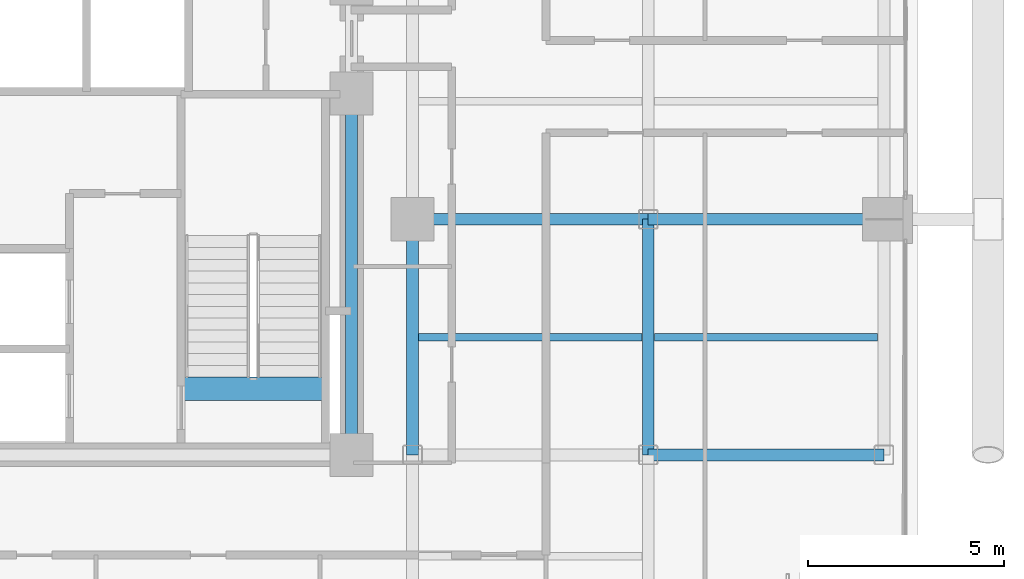
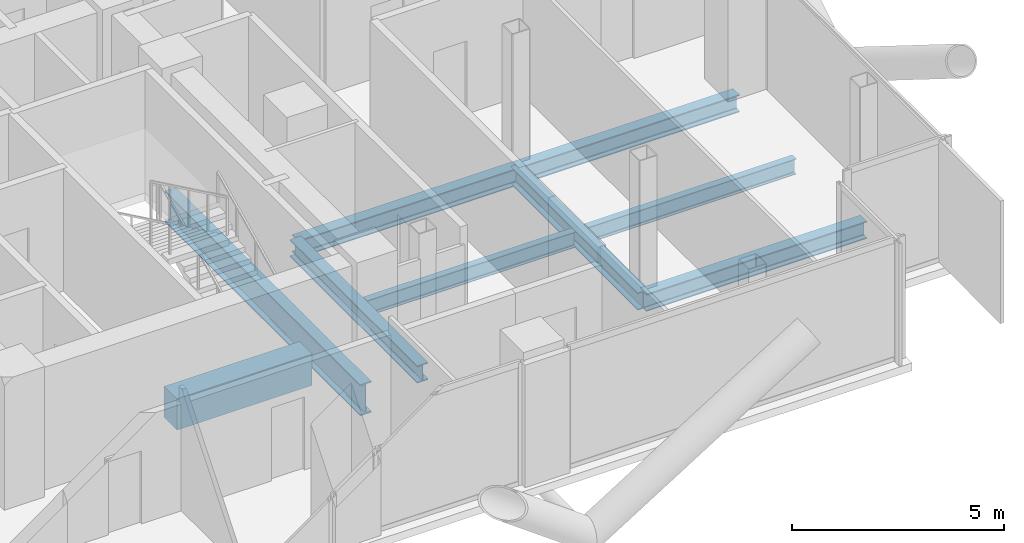
# One storey, part 10 of 24: 9 beams.
"""IFC4 building model written with IfcOpenShell, lengths in metres."""

from ifc_helpers import new_model, si_unit, direction, frame, origin, origin_2d, place, context, subcontext, project, spatial, rectangle, i_section, extrude, material, material_profile, profile_set, type_object, element, save


model = new_model("IFC4")

# Units and contexts
model_context = context("Model", 3, precision=1e-05, world=origin(), true_north=direction((0.0, 1.0)))
body_context = subcontext(model_context, "Body", "Model", "MODEL_VIEW")
ifc_project = project(units=[si_unit("LENGTHUNIT", "METRE"), si_unit("AREAUNIT", "SQUARE_METRE"), si_unit("VOLUMEUNIT", "CUBIC_METRE"), si_unit("PLANEANGLEUNIT", "RADIAN"), si_unit("MASSUNIT", "GRAM", prefix="KILO"), si_unit("THERMODYNAMICTEMPERATUREUNIT", "KELVIN"), si_unit("POWERUNIT", "WATT")], contexts=[model_context])

# Site, building, storey
site_placement = place(None, origin())
site = spatial("IfcSite", under=ifc_project, at=site_placement, CompositionType="ELEMENT")
building_placement = place(site_placement, origin())
building = spatial("IfcBuilding", under=site, at=building_placement, Name="Svarakhadi Broadcast Tower", CompositionType="ELEMENT")
storey_placement = place(building_placement, frame((0.0, 0.0, 145.64990234375)))
storey = spatial("IfcBuildingStorey", under=building, at=storey_placement, Name="L35", CompositionType="ELEMENT", Elevation=145.64990234375)

# Beams
ifc_material_1 = material(Name="Steel S355J2 (IS 2062 E350C)", Category="steel")
ifc_material_profile_1 = material_profile(ifc_material_1, i_section(OverallWidth=0.18994140625, OverallDepth=0.449951171875, WebThickness=0.009521484375, FlangeThickness=0.0146484375, FilletRadius=0.02099609375, at=origin_2d()), Name="NPB 450x190x78")
ifc_profile_set_1 = profile_set([ifc_material_profile_1], Name="Steel S355J2 (IS 2062 E350C)")
beam_type_1 = type_object("IfcBeamType", Name="Beam_NPB450", PredefinedType="BEAM", material=ifc_profile_set_1)
for number, where, z_axis, x_axis, name in (
    (1, (35.31005859375, 9.0, -0.449951171875), (1.0, 0.0, 0.0), (0.0, 1.0, 0.0), "L35 Secondary Composite Beam SB020"),
    (2, (41.31005859375, 9.0, -0.449951171875), (1.0, 0.0, 0.0), (0.0, 1.0, 0.0), "L35 Secondary Composite Beam SB022"),
):
    element("IfcBeam", number, at=place(storey_placement, frame(where, z_axis=z_axis, x_axis=x_axis)), inside=storey, type_object=beam_type_1, Name=name, PredefinedType="BEAM", context=body_context, shape_type="SweptSolid", body=[
        extrude(i_section(OverallWidth=0.18994140625, OverallDepth=0.449951171875, WebThickness=0.009521484375, FlangeThickness=0.0146484375, FilletRadius=0.02099609375, at=origin_2d()), origin(), (0.0, 0.0, 1.0), 5.679931640625),
    ])
ifc_material_2 = material(Name="Concrete C50/60 (IS 456 M60)", Category="concrete")
ifc_material_profile_2 = material_profile(ifc_material_2, rectangle(XDim=0.60009765625, YDim=0.89990234375, at=origin_2d()), Name="RC 600x900")
ifc_profile_set_2 = profile_set([ifc_material_profile_2], Name="Concrete C50/60 (IS 456 M60)")
beam_type_2 = type_object("IfcBeamType", Name="Coupling_RC600", PredefinedType="USERDEFINED", material=ifc_profile_set_2)
beam_1_placement = place(storey_placement, frame((29.260009765625, 7.679931640625, -0.449951171875), z_axis=(1.0, 0.0, 0.0), x_axis=(0.0, 1.0, 0.0)))
element("IfcBeam", 3, at=beam_1_placement, inside=storey, type_object=beam_type_2, Name="L35 Stair ST-02 Landing Throat Trimmer Beam CB-01", ObjectType="GIRDER", PredefinedType="USERDEFINED", context=body_context, shape_type="SweptSolid", body=[
    extrude(rectangle(XDim=0.60009765625, YDim=0.89990234375, at=origin_2d()), origin(), (0.0, 0.0, 1.0), 3.679931640625),
])
ifc_material_profile_3 = material_profile(ifc_material_1, i_section(OverallWidth=0.300048828125, OverallDepth=0.5, WebThickness=0.014404296875, FlangeThickness=0.028076171875, FilletRadius=0.027099609375, at=origin_2d()), Name="WPB 500x300x187")
ifc_profile_set_3 = profile_set([ifc_material_profile_3], Name="Steel S355J2 (IS 2062 E350C)")
beam_type_3 = type_object("IfcBeamType", Name="Girder_WPB500", PredefinedType="USERDEFINED", material=ifc_profile_set_3)
for number, where, z_axis, x_axis, name in (
    (4, (41.14990234375, 6.0, -0.474853515625), (1.0, 0.0, 0.0), (0.0, 1.0, 0.0), "L35 Primary E-W Girder G016"),
    (5, (35.14990234375, 12.0, -0.474853515625), (1.0, 0.0, 0.0), (0.0, 1.0, 0.0), "L35 Primary E-W Girder G021"),
    (6, (41.14990234375, 12.0, -0.474853515625), (1.0, 0.0, 0.0), (0.0, 1.0, 0.0), "L35 Primary E-W Girder G022"),
    (7, (35.14990234375, 6.0, -0.474853515625), (0.0, 1.0, 0.0), (-1.0, 0.0, 0.0), "L35 Primary N-S Girder G068"),
    (8, (41.14990234375, 6.0, -0.474853515625), (0.0, 1.0, 0.0), (-1.0, 0.0, 0.0), "L35 Primary N-S Girder G071"),
):
    element("IfcBeam", number, at=place(storey_placement, frame(where, z_axis=z_axis, x_axis=x_axis)), inside=storey, type_object=beam_type_3, Name=name, ObjectType="GIRDER", PredefinedType="USERDEFINED", context=body_context, shape_type="SweptSolid", body=[
        extrude(i_section(OverallWidth=0.300048828125, OverallDepth=0.5, WebThickness=0.014404296875, FlangeThickness=0.028076171875, FilletRadius=0.027099609375, at=origin_2d()), origin(), (0.0, 0.0, 1.0), 6.0),
    ])
ifc_material_3 = material(Name="Steel S460ML (IS 2062 E450BR)", Category="steel")
ifc_material_profile_4 = material_profile(ifc_material_3, i_section(OverallWidth=0.300048828125, OverallDepth=0.89990234375, WebThickness=0.0185546875, FlangeThickness=0.034912109375, FilletRadius=0.030029296875, at=origin_2d()), Name="WPB 900x300x291")
ifc_profile_set_4 = profile_set([ifc_material_profile_4], Name="Steel S460ML (IS 2062 E450BR)")
beam_type_4 = type_object("IfcBeamType", Name="Girder_WPB900", PredefinedType="USERDEFINED", material=ifc_profile_set_4)
beam_2_placement = place(storey_placement, frame((33.60009765625, 6.0, -0.6748046875), z_axis=(0.0, 1.0, 0.0), x_axis=(-1.0, 0.0, 0.0)))
element("IfcBeam", 9, at=beam_2_placement, inside=storey, type_object=beam_type_4, Name="L35 Primary N-S Girder G065", ObjectType="GIRDER", PredefinedType="USERDEFINED", context=body_context, shape_type="SweptSolid", body=[
    extrude(i_section(OverallWidth=0.300048828125, OverallDepth=0.89990234375, WebThickness=0.0185546875, FlangeThickness=0.034912109375, FilletRadius=0.030029296875, at=origin_2d()), origin(), (0.0, 0.0, 1.0), 9.199951171875),
])

save(model, "model.ifc")
